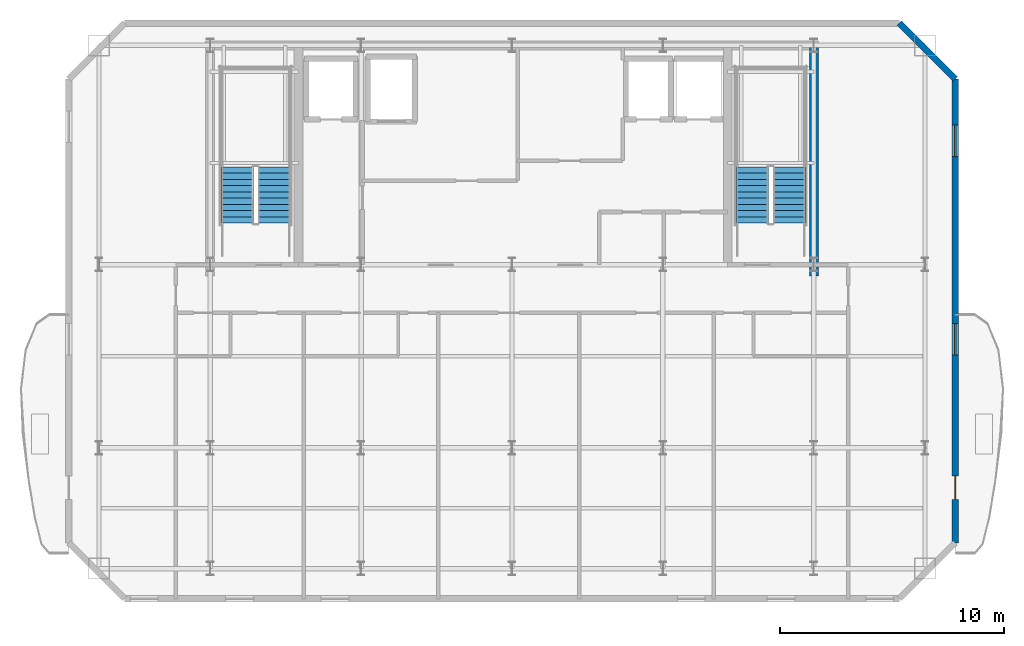
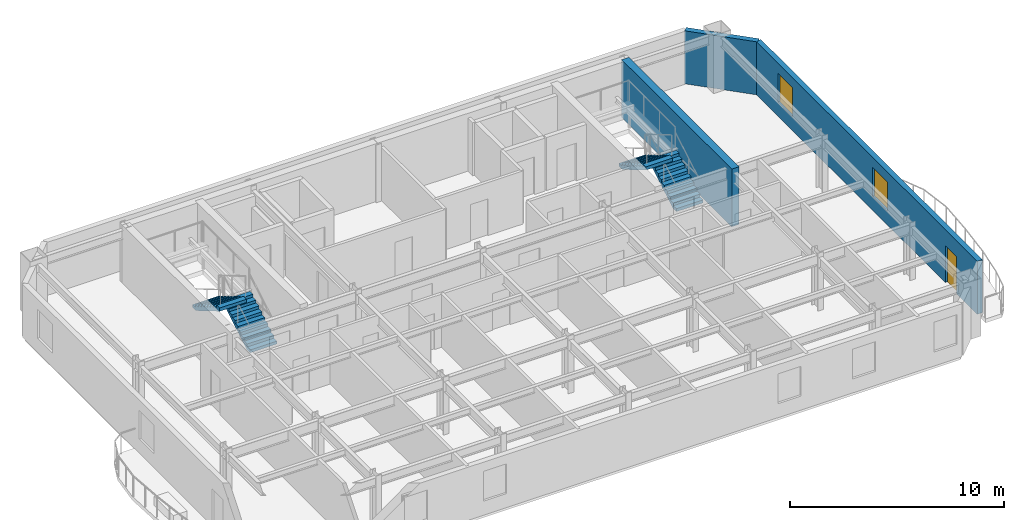
# One storey, part 4 of 6: 4 stair flights, 3 walls, 2 windows, 1 door, 3 openings, 2 elements without a shape of their own.
"""IFC4 building model written with IfcOpenShell, lengths in metres."""

from ifc_helpers import new_model, si_unit, direction, frame, frame_2d, origin, place, context, subcontext, project, spatial, polyline, rectangle, outline, extrude, material, layer, layer_set, type_object, element, fill, aggregate, save


model = new_model("IFC4")

# Units and contexts
model_context = context("Model", 3, precision=1e-05, world=origin(), true_north=direction((0.0, 1.0)))
body_context = subcontext(model_context, "Body", "Model", "MODEL_VIEW")
ifc_project = project(units=[si_unit("LENGTHUNIT", "METRE"), si_unit("AREAUNIT", "SQUARE_METRE"), si_unit("VOLUMEUNIT", "CUBIC_METRE"), si_unit("PLANEANGLEUNIT", "RADIAN"), si_unit("MASSUNIT", "GRAM", prefix="KILO")], contexts=[model_context])

# Site, building, storey
site_placement = place(None, origin())
site = spatial("IfcSite", under=ifc_project, at=site_placement, CompositionType="ELEMENT")
building_placement = place(site_placement, origin())
building = spatial("IfcBuilding", under=site, at=building_placement, Name="Haevon Station Towers", CompositionType="ELEMENT")
storey_placement = place(building_placement, frame((0.0, 0.0, 246.0)))
storey = spatial("IfcBuildingStorey", under=building, at=storey_placement, Name="L68", CompositionType="ELEMENT", Elevation=246.0)

# Walls
ifc_material_1 = material(Name="Concrete C60/75", Category="concrete")
ifc_layer_1 = layer(ifc_material_1, 0.39990234375)
ifc_layer_set_1 = layer_set([ifc_layer_1], Name="Concrete C60/75")
wall_type_1 = type_object("IfcWallType", Name="WL-CR400", PredefinedType="SHEAR", material=ifc_layer_set_1)
wall_1_placement = place(storey_placement, frame((51.0, 37.679931640625, 0.0), z_axis=(0.0, 0.0, 1.0), x_axis=(0.0, 1.0, 0.0)))
element("IfcWall", 1, at=wall_1_placement, inside=storey, type_object=wall_type_1, Name="WL-T1CR-L68-E", PredefinedType="SHEAR", context=body_context, shape_type="SweptSolid", body=[
    extrude(rectangle(XDim=10.320068359375, YDim=0.39990234375, at=frame_2d((5.16015625, 0.0))), origin(), (0.0, 0.0, 1.0), 3.300048828125),
])
ifc_material_2 = material(Name="Precast concrete C45/55", Category="concrete")
ifc_layer_2 = layer(ifc_material_2, 0.280029296875)
ifc_layer_set_2 = layer_set([ifc_layer_2], Name="Precast concrete C45/55")
wall_type_2 = type_object("IfcWallType", Name="WL-EXT-PIER280", PredefinedType="SOLIDWALL", material=ifc_layer_set_2)
wall_2_placement = place(storey_placement, frame((54.824951171875, 49.0, 0.0), z_axis=(0.0, 0.0, 1.0), x_axis=(0.707106781187, -0.707106781187, 0.0)))
element("IfcWall", 2, at=wall_2_placement, inside=storey, type_object=wall_type_2, Name="WL-T1-L68-NEC", PredefinedType="SOLIDWALL", context=body_context, shape_type="SweptSolid", body=[
    extrude(rectangle(XDim=3.53564453125, YDim=0.280029296875, at=frame_2d((1.767822265625, 0.0))), origin(), (0.0, 0.0, 1.0), 3.030029296875),
])

# Wall, openings, door, windows
wall_3_placement = place(storey_placement, frame((57.324951171875, 46.5, 0.0), z_axis=(0.0, 0.0, 1.0), x_axis=(0.0, -1.0, 0.0)))
wall_3 = element("IfcWall", 3, at=wall_3_placement, inside=storey, type_object=wall_type_2, Name="WL-T1-L68-E", PredefinedType="SOLIDWALL", context=body_context, shape_type="SweptSolid", body=[
    extrude(rectangle(XDim=20.75, YDim=0.280029296875, at=frame_2d((10.375, 0.0))), origin(), (0.0, 0.0, 1.0), 3.030029296875),
])
opening_1_placement = place(wall_3_placement, frame((17.75, 0.0, 0.0)))
opening_1 = element("IfcOpeningElement", 4, at=opening_1_placement, cuts=wall_3, Name="Opening DR-T1-SCAL-L68-E", PredefinedType="OPENING", context=body_context, shape_type="SweptSolid", body=[
    extrude(rectangle(XDim=1.050048828125, YDim=2.10009765625, at=frame_2d((0.52490234375, 1.050048828125))), frame((0.0, 0.14990234375, 0.0), z_axis=(0.0, -1.0, 0.0), x_axis=(1.0, 0.0, 0.0)), (0.0, 0.0, 1.0), 0.300048828125),
])
opening_2_placement = place(wall_3_placement, frame((2.06787109375, 0.0, 0.800048828125)))
opening_2 = element("IfcOpeningElement", 5, at=opening_2_placement, cuts=wall_3, Name="Opening WN-END140", PredefinedType="OPENING", context=body_context, shape_type="SweptSolid", body=[
    extrude(rectangle(XDim=1.39990234375, YDim=1.64990234375, at=frame_2d((0.699951171875, 0.824951171875))), frame((0.0, 0.14990234375, 0.0), z_axis=(0.0, -1.0, 0.0), x_axis=(1.0, 0.0, 0.0)), (0.0, 0.0, 1.0), 0.300048828125),
])
opening_3_placement = place(wall_3_placement, frame((10.94287109375, 0.0, 0.800048828125)))
opening_3 = element("IfcOpeningElement", 6, at=opening_3_placement, cuts=wall_3, Name="Opening WN-END140", PredefinedType="OPENING", context=body_context, shape_type="SweptSolid", body=[
    extrude(rectangle(XDim=1.39990234375, YDim=1.64990234375, at=frame_2d((0.699951171875, 0.824951171875))), frame((0.0, 0.14990234375, 0.0), z_axis=(0.0, -1.0, 0.0), x_axis=(1.0, 0.0, 0.0)), (0.0, 0.0, 1.0), 0.300048828125),
])
ifc_material_3 = material(Name="Thermally broken anodised aluminium and laminated safety glass", Category="aluminium")
door_type = type_object("IfcDoorType", Name="DR-BALC-1050", OperationType="NOTDEFINED", PredefinedType="DOOR", material=ifc_material_3)
door_placement = place(opening_1_placement, origin())
door = element("IfcDoor", 7, at=door_placement, inside=storey, type_object=door_type, Name="Tower 1 L68 East Scalloped Balcony Door", OperationType="SINGLE_SWING_RIGHT", OverallHeight=2.10009765625, OverallWidth=1.050048828125, PredefinedType="DOOR", context=body_context, shape_type="SweptSolid", body=[
    extrude(rectangle(XDim=1.050048828125, YDim=2.10009765625, at=frame_2d((0.52490234375, 1.050048828125))), frame((0.0, 0.02490234375, 0.0), z_axis=(0.0, -1.0, 0.0), x_axis=(1.0, 0.0, 0.0)), (0.0, 0.0, 1.0), 0.050048828125),
])
fill(opening_1, door)
ifc_material_4 = material(Name="Low-E triple glazing in thermally broken aluminium", Category="aluminium")
window_type = type_object("IfcWindowType", Name="WN-END140", PartitioningType="SINGLE_PANEL", PredefinedType="WINDOW", material=ifc_material_4)
window_1_placement = place(opening_2_placement, origin())
window_1 = element("IfcWindow", 8, at=window_1_placement, inside=storey, type_object=window_type, Name="WN-T1-L68-E01", OverallHeight=1.64990234375, OverallWidth=1.39990234375, PartitioningType="SINGLE_PANEL", PredefinedType="WINDOW", context=body_context, shape_type="SweptSolid", body=[
    extrude(rectangle(XDim=1.39990234375, YDim=1.64990234375, at=frame_2d((0.699951171875, 0.824951171875))), frame((0.0, 0.030029296875, 0.0), z_axis=(0.0, -1.0, 0.0), x_axis=(1.0, 0.0, 0.0)), (0.0, 0.0, 1.0), 0.06005859375),
])
fill(opening_2, window_1)
window_2_placement = place(opening_3_placement, origin())
window_2 = element("IfcWindow", 9, at=window_2_placement, inside=storey, type_object=window_type, Name="WN-T1-L68-E02", OverallHeight=1.64990234375, OverallWidth=1.39990234375, PartitioningType="SINGLE_PANEL", PredefinedType="WINDOW", context=body_context, shape_type="SweptSolid", body=[
    extrude(rectangle(XDim=1.39990234375, YDim=1.64990234375, at=frame_2d((0.699951171875, 0.824951171875))), frame((0.0, 0.030029296875, 0.0), z_axis=(0.0, -1.0, 0.0), x_axis=(1.0, 0.0, 0.0)), (0.0, 0.0, 1.0), 0.06005859375),
])
fill(opening_3, window_2)

# Stair, stair flights
ifc_material_5 = material(Name="Concrete C40/50", Category="concrete")
stair_type = type_object("IfcStairType", Name="STR-DL1450", PredefinedType="USERDEFINED", material=ifc_material_5)
stair_1_placement = place(storey_placement, origin())
stair_1 = element("IfcStair", 10, at=stair_1_placement, inside=storey, type_object=stair_type, Name="L68 Escape Stair ST1", ObjectType="TWO_RETURN_STAIR", PredefinedType="USERDEFINED")
stair_flight_type = type_object("IfcStairFlightType", Name="STF-ST1450", PredefinedType="STRAIGHT", material=ifc_material_5)
stair_flight_1_placement = place(storey_placement, frame((26.85498046875, 40.050048828125, 0.0), z_axis=(0.0, 0.0, 1.0), x_axis=(0.0, 1.0, 0.0)))
stair_flight_1 = element("IfcStairFlight", 11, at=stair_flight_1_placement, type_object=stair_flight_type, Name="L68 ST1 Flight 1", NumberOfRisers=10, NumberOfTreads=9, PredefinedType="STRAIGHT", RiserHeight=0.165, TreadLength=0.28, context=body_context, shape_type="SweptSolid", body=[
    extrude(outline(polyline([(0.0, 0.0), (0.0, 0.1650390625), (0.280029296875, 0.1650390625), (0.280029296875, 0.330078125), (0.56005859375, 0.330078125), (0.56005859375, 0.4951171875), (0.840087890625, 0.4951171875), (0.840087890625, 0.659912109375), (1.1201171875, 0.659912109375), (1.1201171875, 0.824951171875), (1.39990234375, 0.824951171875), (1.39990234375, 0.989990234375), (1.679931640625, 0.989990234375), (1.679931640625, 1.155029296875), (1.9599609375, 1.155029296875), (1.9599609375, 1.320068359375), (2.239990234375, 1.320068359375), (2.239990234375, 1.485107421875), (2.52001953125, 1.485107421875), (2.52001953125, 1.64990234375), (2.52001953125, 1.29931640625), (0.31494140625, 0.0), (0.0, 0.0)])), frame((0.0, 0.72509765625, 0.0), z_axis=(0.0, -1.0, 0.0), x_axis=(1.0, 0.0, 0.0)), (0.0, 0.0, 1.0), 1.449951171875),
])
stair_flight_2_placement = place(storey_placement, frame((25.205078125, 42.570068359375, 1.64990234375), z_axis=(0.0, 0.0, 1.0), x_axis=(0.0, -1.0, 0.0)))
stair_flight_2 = element("IfcStairFlight", 12, at=stair_flight_2_placement, type_object=stair_flight_type, Name="L68 ST1 Flight 2", NumberOfRisers=10, NumberOfTreads=9, PredefinedType="STRAIGHT", RiserHeight=0.165, TreadLength=0.28, context=body_context, shape_type="SweptSolid", body=[
    extrude(outline(polyline([(0.0, 0.0), (0.0, 0.1650390625), (0.280029296875, 0.1650390625), (0.280029296875, 0.330078125), (0.56005859375, 0.330078125), (0.56005859375, 0.4951171875), (0.840087890625, 0.4951171875), (0.840087890625, 0.659912109375), (1.1201171875, 0.659912109375), (1.1201171875, 0.824951171875), (1.39990234375, 0.824951171875), (1.39990234375, 0.989990234375), (1.679931640625, 0.989990234375), (1.679931640625, 1.155029296875), (1.9599609375, 1.155029296875), (1.9599609375, 1.320068359375), (2.239990234375, 1.320068359375), (2.239990234375, 1.485107421875), (2.52001953125, 1.485107421875), (2.52001953125, 1.64990234375), (2.52001953125, 1.29931640625), (0.31494140625, 0.0), (0.0, 0.0)])), frame((0.0, 0.72509765625, 0.0), z_axis=(0.0, -1.0, 0.0), x_axis=(1.0, 0.0, 0.0)), (0.0, 0.0, 1.0), 1.449951171875),
])
aggregate(stair_1, [stair_flight_1, stair_flight_2])

stair_2_placement = place(storey_placement, origin())
stair_2 = element("IfcStair", 13, at=stair_2_placement, inside=storey, type_object=stair_type, Name="L68 Escape Stair ST2", ObjectType="TWO_RETURN_STAIR", PredefinedType="USERDEFINED")
stair_flight_3_placement = place(storey_placement, frame((49.89501953125, 40.050048828125, 0.0), z_axis=(0.0, 0.0, 1.0), x_axis=(0.0, 1.0, 0.0)))
stair_flight_3 = element("IfcStairFlight", 14, at=stair_flight_3_placement, type_object=stair_flight_type, Name="L68 ST2 Flight 1", NumberOfRisers=10, NumberOfTreads=9, PredefinedType="STRAIGHT", RiserHeight=0.165, TreadLength=0.28, context=body_context, shape_type="SweptSolid", body=[
    extrude(outline(polyline([(0.0, 0.0), (0.0, 0.1650390625), (0.280029296875, 0.1650390625), (0.280029296875, 0.330078125), (0.56005859375, 0.330078125), (0.56005859375, 0.4951171875), (0.840087890625, 0.4951171875), (0.840087890625, 0.659912109375), (1.1201171875, 0.659912109375), (1.1201171875, 0.824951171875), (1.39990234375, 0.824951171875), (1.39990234375, 0.989990234375), (1.679931640625, 0.989990234375), (1.679931640625, 1.155029296875), (1.9599609375, 1.155029296875), (1.9599609375, 1.320068359375), (2.239990234375, 1.320068359375), (2.239990234375, 1.485107421875), (2.52001953125, 1.485107421875), (2.52001953125, 1.64990234375), (2.52001953125, 1.29931640625), (0.31494140625, 0.0), (0.0, 0.0)])), frame((0.0, 0.72509765625, 0.0), z_axis=(0.0, -1.0, 0.0), x_axis=(1.0, 0.0, 0.0)), (0.0, 0.0, 1.0), 1.449951171875),
])
stair_flight_4_placement = place(storey_placement, frame((48.2451171875, 42.570068359375, 1.64990234375), z_axis=(0.0, 0.0, 1.0), x_axis=(0.0, -1.0, 0.0)))
stair_flight_4 = element("IfcStairFlight", 15, at=stair_flight_4_placement, type_object=stair_flight_type, Name="L68 ST2 Flight 2", NumberOfRisers=10, NumberOfTreads=9, PredefinedType="STRAIGHT", RiserHeight=0.165, TreadLength=0.28, context=body_context, shape_type="SweptSolid", body=[
    extrude(outline(polyline([(0.0, 0.0), (0.0, 0.1650390625), (0.280029296875, 0.1650390625), (0.280029296875, 0.330078125), (0.56005859375, 0.330078125), (0.56005859375, 0.4951171875), (0.840087890625, 0.4951171875), (0.840087890625, 0.659912109375), (1.1201171875, 0.659912109375), (1.1201171875, 0.824951171875), (1.39990234375, 0.824951171875), (1.39990234375, 0.989990234375), (1.679931640625, 0.989990234375), (1.679931640625, 1.155029296875), (1.9599609375, 1.155029296875), (1.9599609375, 1.320068359375), (2.239990234375, 1.320068359375), (2.239990234375, 1.485107421875), (2.52001953125, 1.485107421875), (2.52001953125, 1.64990234375), (2.52001953125, 1.29931640625), (0.31494140625, 0.0), (0.0, 0.0)])), frame((0.0, 0.72509765625, 0.0), z_axis=(0.0, -1.0, 0.0), x_axis=(1.0, 0.0, 0.0)), (0.0, 0.0, 1.0), 1.449951171875),
])
aggregate(stair_2, [stair_flight_3, stair_flight_4])

save(model, "model.ifc")
